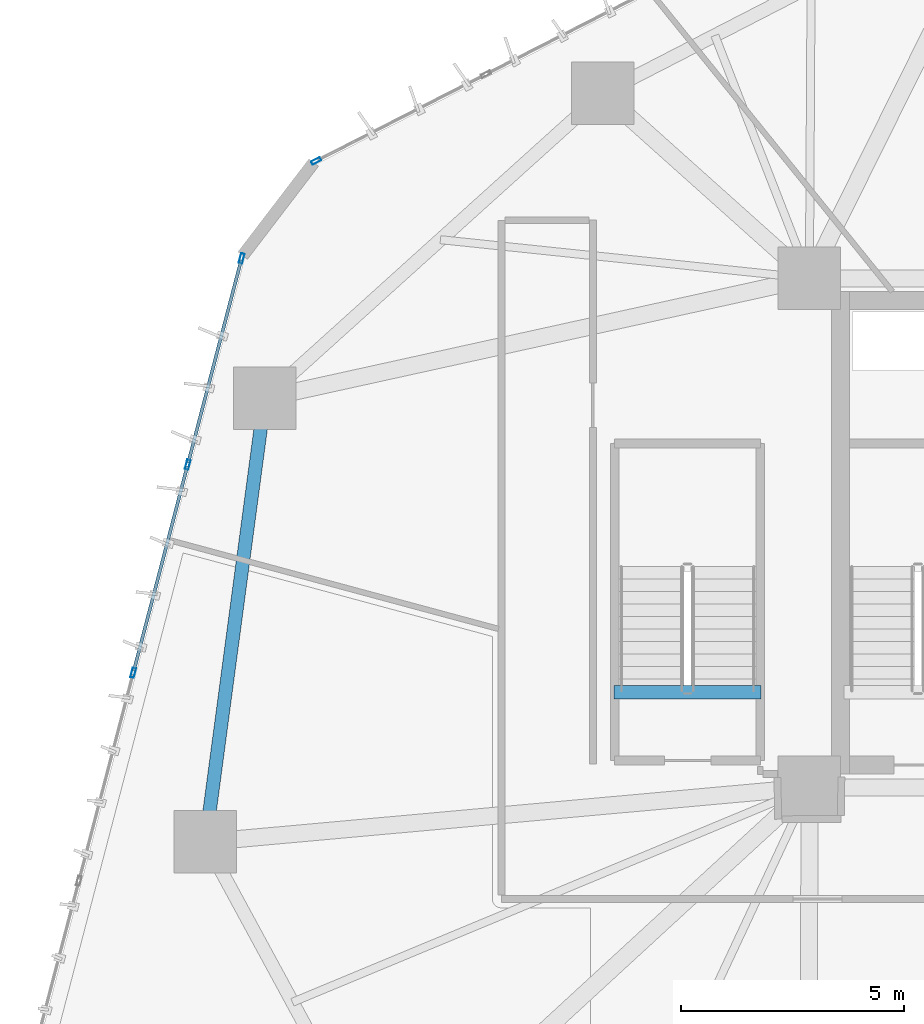
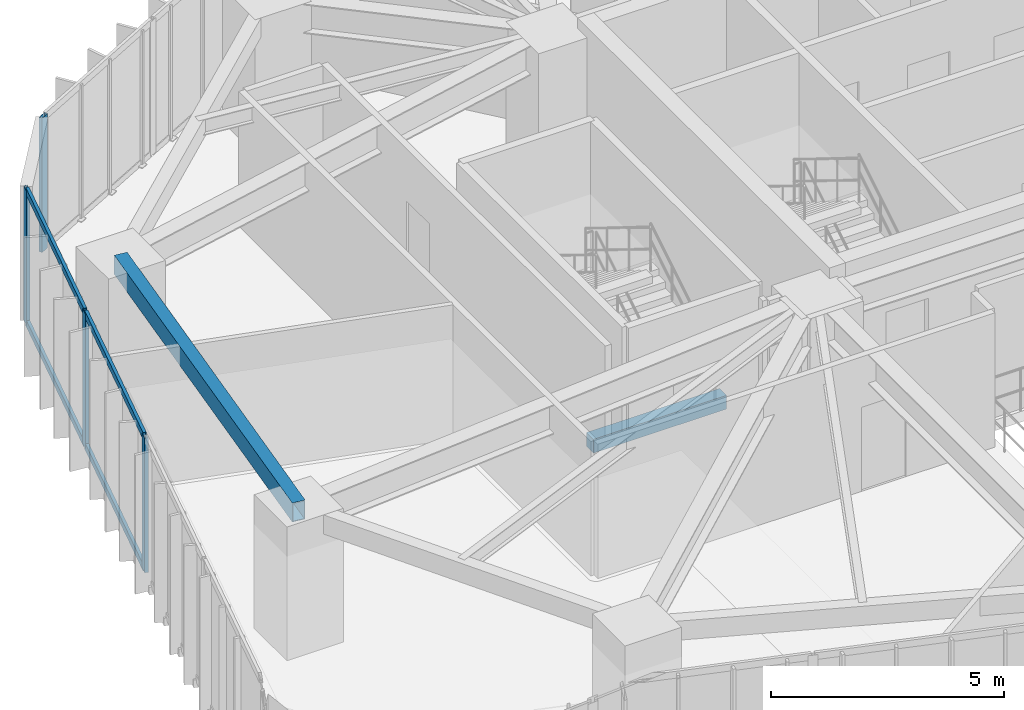
# One storey, part 7 of 24: 8 members, 2 beams, 2 elements without a shape of their own.
"""IFC4 building model written with IfcOpenShell, lengths in metres."""

from ifc_helpers import new_model, si_unit, direction, frame, origin, origin_2d, place, context, subcontext, project, spatial, rectangle, hollow_rectangle, extrude, source, transform, mapped, material, layer, layer_set, material_profile, profile_set, type_object, type_shapes, element, aggregate, save


model = new_model("IFC4")

# Units and contexts
model_context = context("Model", 3, precision=1e-05, world=origin(), true_north=direction((0.0, 1.0)))
body_context = subcontext(model_context, "Body", "Model", "MODEL_VIEW")
ifc_project = project(units=[si_unit("LENGTHUNIT", "METRE"), si_unit("AREAUNIT", "SQUARE_METRE"), si_unit("VOLUMEUNIT", "CUBIC_METRE"), si_unit("PLANEANGLEUNIT", "RADIAN"), si_unit("MASSUNIT", "GRAM", prefix="KILO")], contexts=[model_context])

# Site, building, storey
site_placement = place(None, origin())
site = spatial("IfcSite", under=ifc_project, at=site_placement, CompositionType="ELEMENT")
building_placement = place(site_placement, origin())
building = spatial("IfcBuilding", under=site, at=building_placement, Name="Talar Marvaseh", CompositionType="ELEMENT")
storey_placement = place(building_placement, frame((0.0, 0.0, 39.199951171875)))
storey = spatial("IfcBuildingStorey", under=building, at=storey_placement, Name="L09", CompositionType="ELEMENT", Elevation=39.199951171875)

# Beams
ifc_material_1 = material(Name="Concrete C40/50", Category="concrete")
ifc_material_profile_1 = material_profile(ifc_material_1, rectangle(XDim=0.300048828125, YDim=0.360107421875, at=origin_2d()), Name="RC300x360")
ifc_profile_set_1 = profile_set([ifc_material_profile_1], Name="Concrete C40/50")
beam_type_1 = type_object("IfcBeamType", Name="Concrete Stair Landing Trimmer Beam RC300x360", PredefinedType="SPANDREL", material=ifc_profile_set_1)
beam_1_placement = place(storey_placement, frame((17.6201171875, 27.6298828125, -0.179931640625), z_axis=(-1.0, 0.0, 0.0), x_axis=(0.0, -1.0, 0.0)))
element("IfcBeam", 1, at=beam_1_placement, inside=storey, type_object=beam_type_1, Name="L09 ST-3 Stair Nosing Trimmer Beam", PredefinedType="SPANDREL", context=body_context, shape_type="SweptSolid", body=[
    extrude(rectangle(XDim=0.300048828125, YDim=0.360107421875, at=origin_2d()), origin(), (0.0, 0.0, 1.0), 3.300048828125),
])
ifc_material_2 = material(Name="Steel S355", Category="steel")
ifc_material_profile_2 = material_profile(ifc_material_2, hollow_rectangle(XDim=0.300048828125, YDim=0.5, WallThickness=0.02001953125, at=origin_2d()), Name="RHS500x300x20")
ifc_profile_set_2 = profile_set([ifc_material_profile_2], Name="Steel S355")
beam_type_2 = type_object("IfcBeamType", Name="Zone 1 Perimeter Spandrel Beam RHS500x300x20", PredefinedType="SPANDREL", material=ifc_profile_set_2)
beam_2_placement = place(storey_placement, frame((5.175048828125, 24.27587890625, 3.27001953125), z_axis=(0.132340758564, 0.991204279461, 0.0), x_axis=(-0.991204279461, 0.132340758564, 0.0)))
element("IfcBeam", 2, at=beam_2_placement, inside=storey, type_object=beam_type_2, Name="L09 Zone 1 Perimeter Spandrel Beam RHS500x300x20", PredefinedType="SPANDREL", context=body_context, shape_type="SweptSolid", body=[
    extrude(hollow_rectangle(XDim=0.300048828125, YDim=0.5, WallThickness=0.02001953125, at=origin_2d()), origin(), (0.0, 0.0, 1.0), 10.0263671875),
])

# Curtain wall, members
ifc_material_3 = material(Name="Architectural Aluminium", Category="aluminium")
ifc_layer = layer(ifc_material_3, 0.219970703125)
ifc_layer_set = layer_set([ifc_layer], Name="Architectural Aluminium")
curtain_wall_type = type_object("IfcCurtainWallType", Name="Unitised Low-E Museum Curtain Wall Z1", PredefinedType="NOTDEFINED", material=ifc_layer_set)
curtain_wall_1_placement = place(storey_placement, origin())
curtain_wall_1 = element("IfcCurtainWall", 3, at=curtain_wall_1_placement, inside=storey, type_object=curtain_wall_type, Name="L09 Unitised Low-E Museum Curtain Wall Z1", PredefinedType="NOTDEFINED")
ifc_material_profile_3 = material_profile(ifc_material_3, hollow_rectangle(XDim=0.080078125, YDim=0.219970703125, WallThickness=0.0048828125, at=origin_2d()), Name="RHS220x80x5")
ifc_profile_set_3 = profile_set([ifc_material_profile_3], Name="Architectural Aluminium")
member_type_1 = type_object("IfcMemberType", Name="Unitised Curtain Wall Heavy Mullion RHS220x80x5", PredefinedType="MULLION", material=ifc_profile_set_3)
shared_shape_1 = source(origin(), body_context, "Body", "SweptSolid", [
    extrude(hollow_rectangle(XDim=0.080078125, YDim=0.219970703125, WallThickness=0.0048828125, at=origin_2d()), origin(), (0.0, 0.0, 1.0), 3.52001953125),
])
type_shapes(member_type_1, [shared_shape_1])
member_1_placement = place(storey_placement, frame((3.558837890625, 28.06640625, 0.0), z_axis=(0.0, 0.0, 1.0), x_axis=(-0.96747170766, 0.252979238038, 0.0)))
member_1 = element("IfcMember", 4, at=member_1_placement, type_object=member_type_1, Name="CW-Z1 mullion 3", PredefinedType="MULLION", context=body_context, shape_type="MappedRepresentation", body=[
    mapped(shared_shape_1, transform((0.0, 0.0, 0.0), x_axis=(1.0, 0.0, 0.0), y_axis=(0.0, 1.0, 0.0), z_axis=(0.0, 0.0, 1.0), scale=1.0)),
])
member_2_placement = place(storey_placement, frame((4.77734375, 32.726318359375, 0.0), z_axis=(0.0, 0.0, 1.0), x_axis=(-0.96747170766, 0.252979238038, 0.0)))
member_2 = element("IfcMember", 5, at=member_2_placement, type_object=member_type_1, Name="CW-Z1 mullion 4", PredefinedType="MULLION", context=body_context, shape_type="MappedRepresentation", body=[
    mapped(shared_shape_1, transform((0.0, 0.0, 0.0), x_axis=(1.0, 0.0, 0.0), y_axis=(0.0, 1.0, 0.0), z_axis=(0.0, 0.0, 1.0), scale=1.0)),
])
member_3_placement = place(storey_placement, frame((5.985595703125, 37.34765625, 0.0), z_axis=(0.0, 0.0, 1.0), x_axis=(-0.96747170766, 0.252979238038, 0.0)))
member_3 = element("IfcMember", 6, at=member_3_placement, type_object=member_type_1, Name="CW-Z1 mullion 5", PredefinedType="MULLION", context=body_context, shape_type="MappedRepresentation", body=[
    mapped(shared_shape_1, transform((0.0, 0.0, 0.0), x_axis=(1.0, 0.0, 0.0), y_axis=(0.0, 1.0, 0.0), z_axis=(0.0, 0.0, 1.0), scale=1.0)),
])

# Curtain wall, member
curtain_wall_2_placement = place(storey_placement, origin())
curtain_wall_2 = element("IfcCurtainWall", 7, at=curtain_wall_2_placement, inside=storey, type_object=curtain_wall_type, Name="L09 Unitised Low-E Museum Curtain Wall Z1", PredefinedType="NOTDEFINED")
member_4_placement = place(storey_placement, frame((7.654296875, 39.527587890625, 0.0), z_axis=(0.0, 0.0, 1.0), x_axis=(-0.455044452732, 0.890468722661, 0.0)))
member_4 = element("IfcMember", 8, at=member_4_placement, type_object=member_type_1, Name="CW-Z1 mullion 1", PredefinedType="MULLION", context=body_context, shape_type="MappedRepresentation", body=[
    mapped(shared_shape_1, transform((0.0, 0.0, 0.0), x_axis=(1.0, 0.0, 0.0), y_axis=(0.0, 1.0, 0.0), z_axis=(0.0, 0.0, 1.0), scale=1.0)),
])
aggregate(curtain_wall_2, [member_4])

# Member
ifc_material_profile_4 = material_profile(ifc_material_3, hollow_rectangle(XDim=0.074951171875, YDim=0.179931640625, WallThickness=0.0048828125, at=origin_2d()), Name="RHS180x75x5")
ifc_profile_set_4 = profile_set([ifc_material_profile_4], Name="Architectural Aluminium")
member_type_2 = type_object("IfcMemberType", Name="Unitised Curtain Wall Transom RHS180x75x5", PredefinedType="USERDEFINED", material=ifc_profile_set_4)
shared_shape_2 = source(origin(), body_context, "Body", "SweptSolid", [
    extrude(hollow_rectangle(XDim=0.074951171875, YDim=0.179931640625, WallThickness=0.0048828125, at=origin_2d()), origin(), (0.0, 0.0, 1.0), 4.736572265625),
])
member_5_placement = place(storey_placement, frame((3.56884765625, 28.105224609375, 0.03759765625), z_axis=(0.2529757894, 0.96747260942, 0.0), x_axis=(-0.96747260942, 0.2529757894, 0.0)))
member_5 = element("IfcMember", 9, at=member_5_placement, type_object=member_type_2, Name="CW-Z1 transom 3.1", ObjectType="TRANSOM", PredefinedType="USERDEFINED", context=body_context, shape_type="MappedRepresentation", body=[
    mapped(shared_shape_2, transform((0.0, 0.0, 0.0), x_axis=(1.0, 0.0, 0.0), y_axis=(0.0, 1.0, 0.0), z_axis=(0.0, 0.0, 1.0), scale=1.0)),
])

member_6_placement = place(storey_placement, frame((3.56884765625, 28.105224609375, 3.482666015625), z_axis=(0.2529757894, 0.96747260942, 0.0), x_axis=(-0.96747260942, 0.2529757894, 0.0)))
member_6 = element("IfcMember", 10, at=member_6_placement, type_object=member_type_2, Name="CW-Z1 transom 3.2", ObjectType="TRANSOM", PredefinedType="USERDEFINED", context=body_context, shape_type="MappedRepresentation", body=[
    mapped(shared_shape_2, transform((0.0, 0.0, 0.0), x_axis=(1.0, 0.0, 0.0), y_axis=(0.0, 1.0, 0.0), z_axis=(0.0, 0.0, 1.0), scale=1.0)),
])

shared_shape_3 = source(origin(), body_context, "Body", "SweptSolid", [
    extrude(hollow_rectangle(XDim=0.074951171875, YDim=0.179931640625, WallThickness=0.0048828125, at=origin_2d()), origin(), (0.0, 0.0, 1.0), 4.696533203125),
])
type_shapes(member_type_2, [shared_shape_2, shared_shape_3])
member_7_placement = place(storey_placement, frame((4.787353515625, 32.76513671875, 0.03759765625), z_axis=(0.2530037909, 0.967465287124, 0.0), x_axis=(-0.967465287124, 0.2530037909, 0.0)))
member_7 = element("IfcMember", 11, at=member_7_placement, type_object=member_type_2, Name="CW-Z1 transom 4.1", ObjectType="TRANSOM", PredefinedType="USERDEFINED", context=body_context, shape_type="MappedRepresentation", body=[
    mapped(shared_shape_3, transform((0.0, 0.0, 0.0), x_axis=(1.0, 0.0, 0.0), y_axis=(0.0, 1.0, 0.0), z_axis=(0.0, 0.0, 1.0), scale=1.0)),
])

member_8_placement = place(storey_placement, frame((4.787353515625, 32.76513671875, 3.482666015625), z_axis=(0.2530037909, 0.967465287124, 0.0), x_axis=(-0.967465287124, 0.2530037909, 0.0)))
member_8 = element("IfcMember", 12, at=member_8_placement, type_object=member_type_2, Name="CW-Z1 transom 4.2", ObjectType="TRANSOM", PredefinedType="USERDEFINED", context=body_context, shape_type="MappedRepresentation", body=[
    mapped(shared_shape_3, transform((0.0, 0.0, 0.0), x_axis=(1.0, 0.0, 0.0), y_axis=(0.0, 1.0, 0.0), z_axis=(0.0, 0.0, 1.0), scale=1.0)),
])

aggregate(curtain_wall_1, [member_1, member_2, member_3, member_5, member_6, member_7, member_8])

save(model, "model.ifc")
